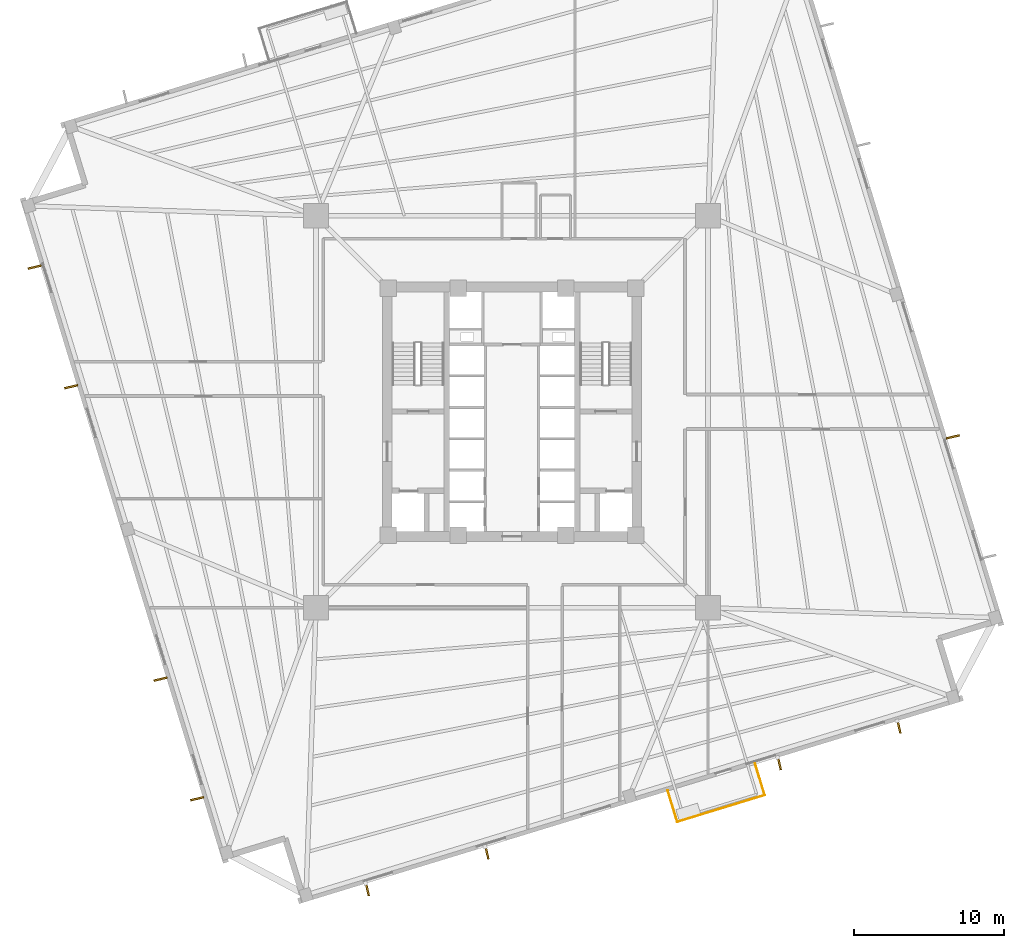
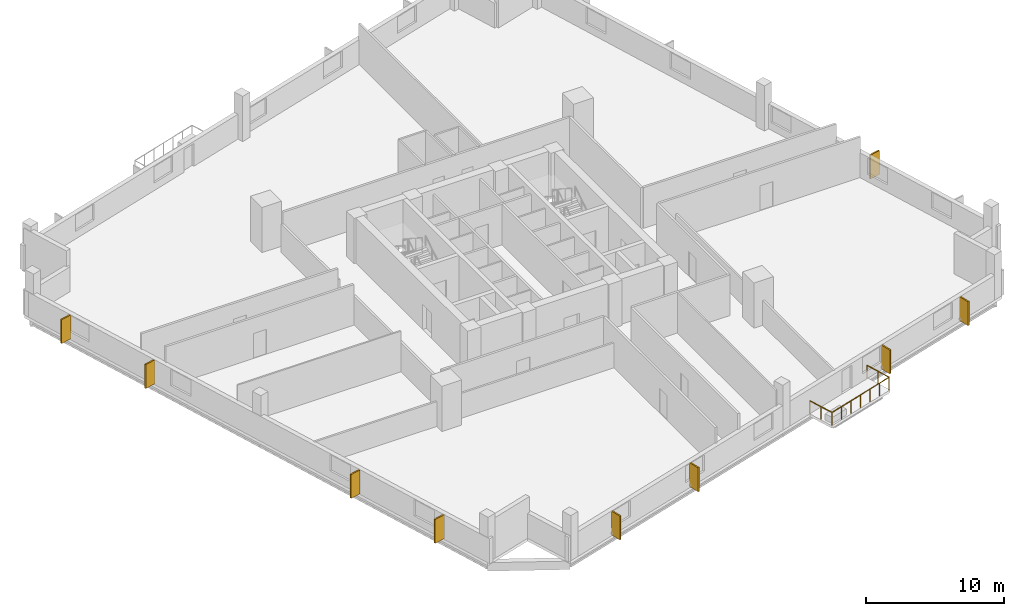
# One storey, part 6 of 8: 9 coverings, 3 railings.
"""IFC4 building model written with IfcOpenShell, lengths in metres."""

from ifc_helpers import new_model, si_unit, direction, frame, origin, origin_2d, place, context, subcontext, project, spatial, rectangle, circle, extrude, source, transform, mapped, material, layer, layer_set, type_object, element, save


model = new_model("IFC4")

# Units and contexts
model_context = context("Model", 3, precision=1e-05, world=origin(), true_north=direction((0.0, 1.0)))
body_context = subcontext(model_context, "Body", "Model", "MODEL_VIEW")
ifc_project = project(units=[si_unit("LENGTHUNIT", "METRE"), si_unit("AREAUNIT", "SQUARE_METRE"), si_unit("VOLUMEUNIT", "CUBIC_METRE"), si_unit("PLANEANGLEUNIT", "RADIAN"), si_unit("MASSUNIT", "GRAM", prefix="KILO"), si_unit("THERMODYNAMICTEMPERATUREUNIT", "KELVIN")], contexts=[model_context])

# Site, building, storey
site_placement = place(None, origin())
site = spatial("IfcSite", under=ifc_project, at=site_placement, CompositionType="ELEMENT")
building_placement = place(site_placement, origin())
building = spatial("IfcBuilding", under=site, at=building_placement, Name="Kosmvard Interchange Tower", CompositionType="ELEMENT")
storey_placement = place(building_placement, frame((0.0, 0.0, 135.199951171875)))
storey = spatial("IfcBuildingStorey", under=building, at=storey_placement, Name="L32", CompositionType="ELEMENT", Elevation=135.199951171875)

# Coverings
ifc_material_1 = material(Name="Architectural anodised aluminium", Category="aluminium")
ifc_layer = layer(ifc_material_1, 0.1201171875, Name="Architectural anodised aluminium")
ifc_layer_set = layer_set([ifc_layer], Name="Architectural anodised aluminium")
covering_type = type_object("IfcCoveringType", Name="Rotating Vertical Sun-Breaker Fin 900x120 Aluminium", PredefinedType="CLADDING", material=ifc_layer_set)
shared_shape_1 = source(origin(), body_context, "Body", "SweptSolid", [
    extrude(rectangle(XDim=0.89990234375, YDim=0.1201171875, at=origin_2d()), origin(), (0.0, 0.0, 1.0), 2.1201171875),
])
for number, where, z_axis, x_axis, name in (
    (1, (-9.6572265625, -31.865966796875, 0.0400390625), (0.0, 0.0, 1.0), (0.227841074111, -0.973698333648, 0.0), "L32 Rotating Vertical Sun-Breaker Fin 01"),
    (2, (-1.673583984375, -29.425048828125, 0.0400390625), (0.0, 0.0, 1.0), (0.227841074111, -0.973698333648, 0.0), "L32 Rotating Vertical Sun-Breaker Fin 02"),
    (3, (17.841796875, -23.45849609375, 0.0400390625), (0.0, 0.0, 1.0), (0.227841074111, -0.973698333648, 0.0), "L32 Rotating Vertical Sun-Breaker Fin 03"),
    (4, (25.825439453125, -21.017822265625, 0.0400390625), (0.0, 0.0, 1.0), (0.227841074111, -0.973698333648, 0.0), "L32 Rotating Vertical Sun-Breaker Fin 04"),
    (5, (29.425048828125, -1.673583984375, 0.0400390625), (0.0, 0.0, 1.0), (0.973698333648, 0.227841074111, 0.0), "L32 Rotating Vertical Sun-Breaker Fin 06"),
    (6, (-31.865966796875, 9.6572265625, 0.0400390625), (0.0, 0.0, 1.0), (-0.973698333648, -0.227841074111, 0.0), "L32 Rotating Vertical Sun-Breaker Fin 13"),
    (7, (-29.425048828125, 1.673583984375, 0.0400390625), (0.0, 0.0, 1.0), (-0.973698333648, -0.227841074111, 0.0), "L32 Rotating Vertical Sun-Breaker Fin 14"),
    (8, (-23.45849609375, -17.841796875, 0.0400390625), (0.0, 0.0, 1.0), (-0.973698333648, -0.227841074111, 0.0), "L32 Rotating Vertical Sun-Breaker Fin 15"),
    (9, (-21.017822265625, -25.825439453125, 0.0400390625), (0.0, 0.0, 1.0), (-0.973698333648, -0.227841074111, 0.0), "L32 Rotating Vertical Sun-Breaker Fin 16"),
):
    element("IfcCovering", number, at=place(storey_placement, frame(where, z_axis=z_axis, x_axis=x_axis)), inside=storey, type_object=covering_type, Name=name, PredefinedType="CLADDING", context=body_context, shape_type="MappedRepresentation", body=[
        mapped(shared_shape_1, transform((0.0, 0.0, 0.0), scale=1.0)),
    ])

# Railings
ifc_material_2 = material(Name="Steel S355", Category="steel")
railing_type = type_object("IfcRailingType", Name="Observation & Balcony Glass-Infill Balustrade 1150", PredefinedType="BALUSTRADE", material=ifc_material_2)
shared_shape_2 = source(origin(), body_context, "Body", "SweptSolid", [
    extrude(circle(Radius=0.02392578125, at=origin_2d()), frame((0.0, 0.0, 1.1259765625), z_axis=(0.292291835236, -0.956329170869, 0.0), x_axis=(0.956329170869, 0.292291835236, 0.0)), (0.0, 0.0, 1.0), 2.2001953125),
    extrude(circle(Radius=0.02099609375, at=origin_2d()), origin(), (0.0, 0.0, 1.0), 1.101806640625),
    extrude(circle(Radius=0.02099609375, at=origin_2d()), frame((0.321533203125, -1.052001953125, 0.0)), (0.0, 0.0, 1.0), 1.101806640625),
    extrude(circle(Radius=0.02099609375, at=origin_2d()), frame((0.64306640625, -2.10400390625, 0.0)), (0.0, 0.0, 1.0), 1.101806640625),
])
railing_1_placement = place(storey_placement, frame((10.39111328125, -25.265869140625, 0.0)))
element("IfcRailing", 10, at=railing_1_placement, inside=storey, type_object=railing_type, Name="L32 Outdoor Terrace Guard BAL-L32-SW-A", PredefinedType="BALUSTRADE", context=body_context, shape_type="MappedRepresentation", body=[
    mapped(shared_shape_2, transform((0.0, 0.0, 0.0), scale=1.0)),
])
shared_shape_3 = source(origin(), body_context, "Body", "SweptSolid", [
    extrude(circle(Radius=0.02392578125, at=origin_2d()), frame((0.0, 0.0, 1.1259765625), z_axis=(0.956306198406, 0.292366986664, 0.0), x_axis=(-0.292366986664, 0.956306198406, 0.0)), (0.0, 0.0, 1.0), 6.10009765625),
    extrude(circle(Radius=0.02099609375, at=origin_2d()), origin(), (0.0, 0.0, 1.0), 1.101806640625),
    extrude(circle(Radius=0.02099609375, at=origin_2d()), frame((0.97216796875, 0.29736328125, 0.0)), (0.0, 0.0, 1.0), 1.101806640625),
    extrude(circle(Radius=0.02099609375, at=origin_2d()), frame((1.944580078125, 0.594482421875, 0.0)), (0.0, 0.0, 1.0), 1.101806640625),
    extrude(circle(Radius=0.02099609375, at=origin_2d()), frame((2.916748046875, 0.8916015625, 0.0)), (0.0, 0.0, 1.0), 1.101806640625),
    extrude(circle(Radius=0.02099609375, at=origin_2d()), frame((3.888916015625, 1.18896484375, 0.0)), (0.0, 0.0, 1.0), 1.101806640625),
    extrude(circle(Radius=0.02099609375, at=origin_2d()), frame((4.861328125, 1.486328125, 0.0)), (0.0, 0.0, 1.0), 1.101806640625),
    extrude(circle(Radius=0.02099609375, at=origin_2d()), frame((5.83349609375, 1.783447265625, 0.0)), (0.0, 0.0, 1.0), 1.101806640625),
])
railing_2_placement = place(storey_placement, frame((11.0341796875, -27.369873046875, 0.0)))
element("IfcRailing", 11, at=railing_2_placement, inside=storey, type_object=railing_type, Name="L32 Outdoor Terrace Guard BAL-L32-SW-B", PredefinedType="BALUSTRADE", context=body_context, shape_type="MappedRepresentation", body=[
    mapped(shared_shape_3, transform((0.0, 0.0, 0.0), scale=1.0)),
])
shared_shape_4 = source(origin(), body_context, "Body", "SweptSolid", [
    extrude(circle(Radius=0.02392578125, at=origin_2d()), frame((0.0, 0.0, 1.1259765625), z_axis=(-0.292291835236, 0.956329170869, 0.0), x_axis=(-0.956329170869, -0.292291835236, 0.0)), (0.0, 0.0, 1.0), 2.2001953125),
    extrude(circle(Radius=0.02099609375, at=origin_2d()), origin(), (0.0, 0.0, 1.0), 1.101806640625),
    extrude(circle(Radius=0.02099609375, at=origin_2d()), frame((-0.321533203125, 1.052001953125, 0.0)), (0.0, 0.0, 1.0), 1.101806640625),
    extrude(circle(Radius=0.02099609375, at=origin_2d()), frame((-0.64306640625, 2.10400390625, 0.0)), (0.0, 0.0, 1.0), 1.101806640625),
])
railing_3_placement = place(storey_placement, frame((16.86767578125, -25.58642578125, 0.0)))
element("IfcRailing", 12, at=railing_3_placement, inside=storey, type_object=railing_type, Name="L32 Outdoor Terrace Guard BAL-L32-SW-C", PredefinedType="BALUSTRADE", context=body_context, shape_type="MappedRepresentation", body=[
    mapped(shared_shape_4, transform((0.0, 0.0, 0.0), scale=1.0)),
])

save(model, "model.ifc")
